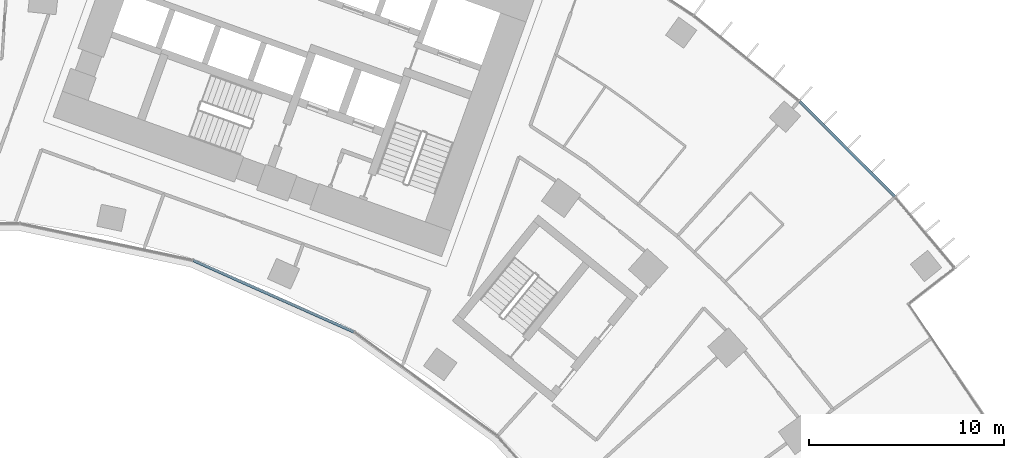
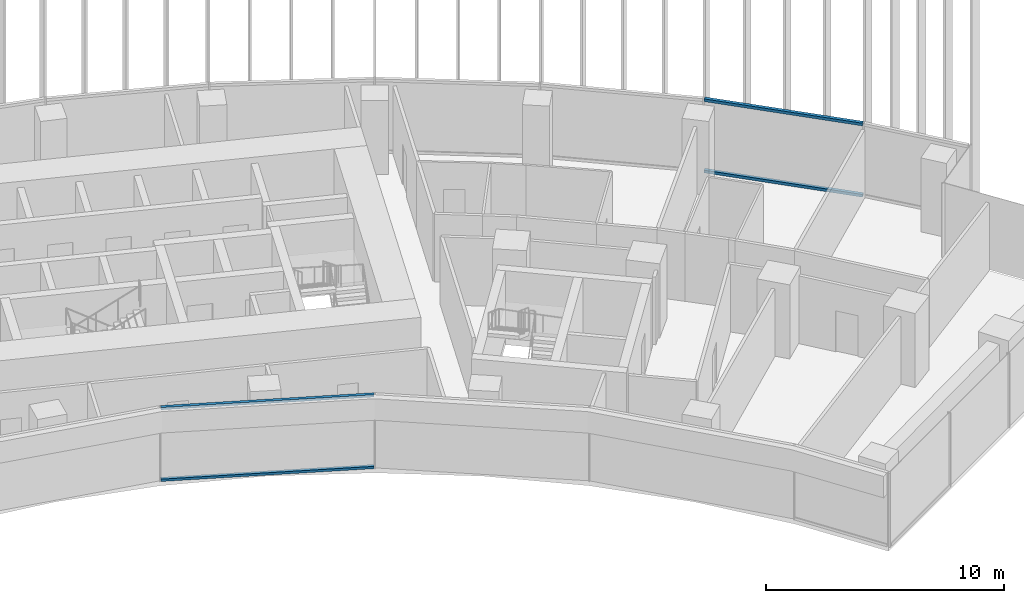
# One storey, part 9 of 22: 4 members, 2 elements without a shape of their own.
"""IFC4 building model written with IfcOpenShell, lengths in metres."""

from ifc_helpers import new_model, si_unit, direction, frame, origin, origin_2d, place, context, subcontext, project, spatial, rectangle, extrude, material, layer, layer_set, material_profile, profile_set, type_object, element, aggregate, save


model = new_model("IFC4")

# Units and contexts
model_context = context("Model", 3, precision=1e-05, world=origin(), true_north=direction((0.0, 1.0)))
body_context = subcontext(model_context, "Body", "Model", "MODEL_VIEW")
ifc_project = project(units=[si_unit("LENGTHUNIT", "METRE"), si_unit("AREAUNIT", "SQUARE_METRE"), si_unit("VOLUMEUNIT", "CUBIC_METRE"), si_unit("PLANEANGLEUNIT", "RADIAN"), si_unit("MASSUNIT", "GRAM", prefix="KILO")], contexts=[model_context])

# Site, building, storey
site_placement = place(None, origin())
site = spatial("IfcSite", under=ifc_project, at=site_placement, CompositionType="ELEMENT")
building_placement = place(site_placement, origin())
building = spatial("IfcBuilding", under=site, at=building_placement, Name="Stone Belt Terrace Tower", CompositionType="ELEMENT")
storey_placement = place(building_placement, frame((0.0, 0.0, 121.199951171875)))
storey = spatial("IfcBuildingStorey", under=building, at=storey_placement, Name="L29", CompositionType="ELEMENT", Elevation=121.199951171875)

# Curtain wall, members
ifc_material = material(Name="Aluminium 6063-T6 anodised frame", Category="aluminium")
ifc_layer_1 = layer(ifc_material, 0.14990234375)
ifc_layer_set_1 = layer_set([ifc_layer_1], Name="CW-A unitised convex-face curtain wall")
curtain_wall_type_1 = type_object("IfcCurtainWallType", Name="CW-A unitised convex-face curtain wall", PredefinedType="NOTDEFINED", material=ifc_layer_set_1)
curtain_wall_1_placement = place(storey_placement, origin())
curtain_wall_1 = element("IfcCurtainWall", 1, at=curtain_wall_1_placement, inside=storey, type_object=curtain_wall_type_1, Name="CW-A convex face L29", PredefinedType="NOTDEFINED")
ifc_material_profile_1 = material_profile(ifc_material, rectangle(XDim=0.14990234375, YDim=0.139892578125, at=origin_2d()), Name="Aluminium 6063-T6 150x140")
ifc_profile_set_1 = profile_set([ifc_material_profile_1], Name="Aluminium 6063-T6 anodised frame")
member_type_1 = type_object("IfcMemberType", Name="CW-A transom 140 x 150", PredefinedType="USERDEFINED", material=ifc_profile_set_1)
member_1_placement = place(storey_placement, frame((49.450927734375, 44.5712890625, 0.070068359375), z_axis=(-0.707106781187, 0.707106781187, 0.0), x_axis=(-0.707106781187, -0.707106781187, 0.0)))
member_1 = element("IfcMember", 2, at=member_1_placement, type_object=member_type_1, Name="CW-A transom 2.1", ObjectType="TRANSOM", PredefinedType="USERDEFINED", context=body_context, shape_type="SweptSolid", body=[
    extrude(rectangle(XDim=0.14990234375, YDim=0.139892578125, at=origin_2d()), origin(), (0.0, 0.0, 1.0), 6.90087890625),
])
member_2_placement = place(storey_placement, frame((49.450927734375, 44.5712890625, 3.72998046875), z_axis=(-0.707106781187, 0.707106781187, 0.0), x_axis=(-0.707106781187, -0.707106781187, 0.0)))
member_2 = element("IfcMember", 3, at=member_2_placement, type_object=member_type_1, Name="CW-A transom 2.2", ObjectType="TRANSOM", PredefinedType="USERDEFINED", context=body_context, shape_type="SweptSolid", body=[
    extrude(rectangle(XDim=0.14990234375, YDim=0.139892578125, at=origin_2d()), origin(), (0.0, 0.0, 1.0), 6.90087890625),
])
aggregate(curtain_wall_1, [member_1, member_2])

ifc_layer_2 = layer(ifc_material, 0.14990234375)
ifc_layer_set_2 = layer_set([ifc_layer_2], Name="CW-B unitised concave-face curtain wall")
curtain_wall_type_2 = type_object("IfcCurtainWallType", Name="CW-B unitised concave-face curtain wall", PredefinedType="NOTDEFINED", material=ifc_layer_set_2)
curtain_wall_2_placement = place(storey_placement, origin())
curtain_wall_2 = element("IfcCurtainWall", 4, at=curtain_wall_2_placement, inside=storey, type_object=curtain_wall_type_2, Name="CW-B concave face L29", PredefinedType="NOTDEFINED")
ifc_material_profile_2 = material_profile(ifc_material, rectangle(XDim=0.14990234375, YDim=0.1201171875, at=origin_2d()), Name="Aluminium 6063-T6 150x120")
ifc_profile_set_2 = profile_set([ifc_material_profile_2], Name="Aluminium 6063-T6 anodised frame")
member_type_2 = type_object("IfcMemberType", Name="CW-B transom 120 x 150", PredefinedType="USERDEFINED", material=ifc_profile_set_2)
member_3_placement = place(storey_placement, frame((13.44873046875, 41.285888671875, 0.06005859375), z_axis=(0.913548853737, -0.406729015237, 0.0), x_axis=(0.406729015237, 0.913548853737, 0.0)))
member_3 = element("IfcMember", 5, at=member_3_placement, type_object=member_type_2, Name="CW-B transom 7.1", ObjectType="TRANSOM", PredefinedType="USERDEFINED", context=body_context, shape_type="SweptSolid", body=[
    extrude(rectangle(XDim=0.14990234375, YDim=0.1201171875, at=origin_2d()), origin(), (0.0, 0.0, 1.0), 9.0126953125),
])
member_4_placement = place(storey_placement, frame((13.44873046875, 41.285888671875, 3.739990234375), z_axis=(0.913548853737, -0.406729015237, 0.0), x_axis=(0.406729015237, 0.913548853737, 0.0)))
member_4 = element("IfcMember", 6, at=member_4_placement, type_object=member_type_2, Name="CW-B transom 7.2", ObjectType="TRANSOM", PredefinedType="USERDEFINED", context=body_context, shape_type="SweptSolid", body=[
    extrude(rectangle(XDim=0.14990234375, YDim=0.1201171875, at=origin_2d()), origin(), (0.0, 0.0, 1.0), 9.0126953125),
])
aggregate(curtain_wall_2, [member_3, member_4])

save(model, "model.ifc")
